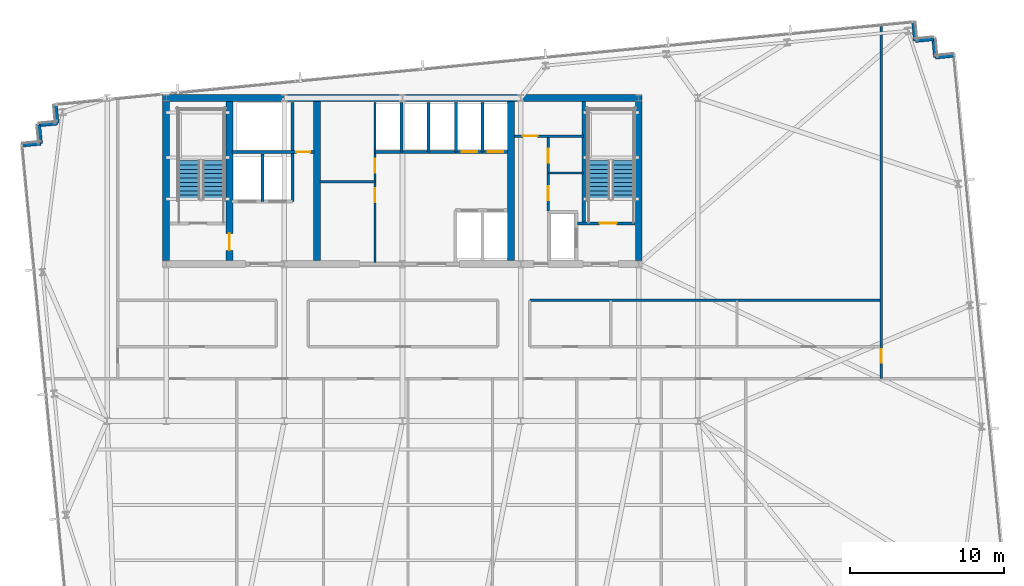
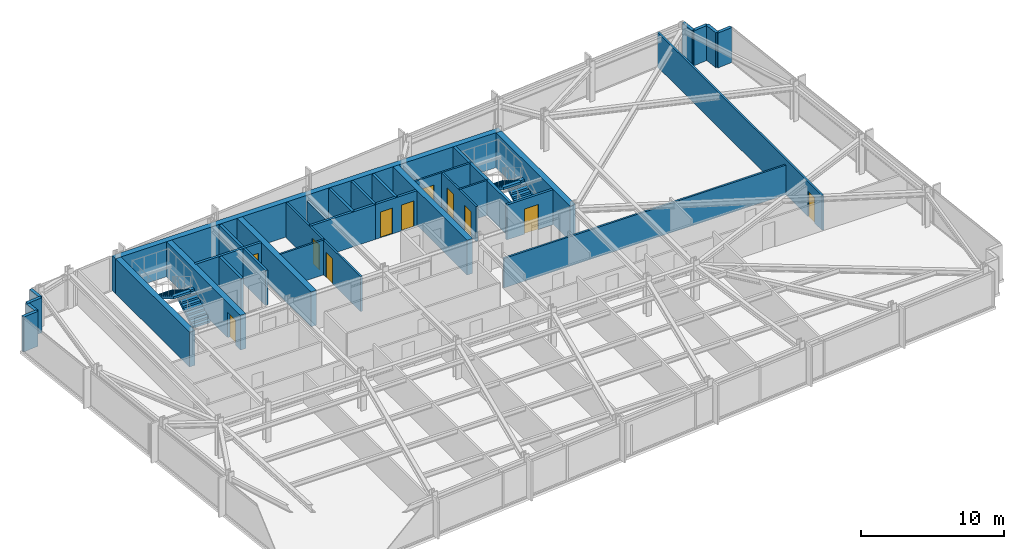
# One storey, part 26 of 32: 32 walls, 11 doors, 4 stair flights, 11 openings, 2 elements without a shape of their own.
"""IFC4 building model written with IfcOpenShell, lengths in metres."""

from ifc_helpers import new_model, si_unit, direction, frame, frame_2d, origin, place, context, subcontext, project, spatial, polyline, rectangle, outline, extrude, material, layer, layer_set, type_object, element, fill, aggregate, save


model = new_model("IFC4")

# Units and contexts
model_context = context("Model", 3, precision=1e-05, world=origin(), true_north=direction((0.0, 1.0)))
body_context = subcontext(model_context, "Body", "Model", "MODEL_VIEW")
ifc_project = project(units=[si_unit("LENGTHUNIT", "METRE"), si_unit("AREAUNIT", "SQUARE_METRE"), si_unit("VOLUMEUNIT", "CUBIC_METRE"), si_unit("PLANEANGLEUNIT", "RADIAN"), si_unit("MASSUNIT", "GRAM", prefix="KILO")], contexts=[model_context])

# Site, building, storey
site_placement = place(None, origin())
site = spatial("IfcSite", under=ifc_project, at=site_placement, CompositionType="ELEMENT")
building_placement = place(site_placement, origin())
building = spatial("IfcBuilding", under=site, at=building_placement, Name="Yelkora Congress Tower", CompositionType="ELEMENT")
storey_placement = place(building_placement, frame((0.0, 0.0, 133.89990234375)))
storey = spatial("IfcBuildingStorey", under=building, at=storey_placement, Name="L36", CompositionType="ELEMENT", Elevation=133.89990234375)

# Walls
ifc_material_1 = material(Name="Concrete C50/60", Category="concrete")
ifc_layer_1 = layer(ifc_material_1, 0.219970703125)
ifc_layer_set_1 = layer_set([ifc_layer_1], Name="Concrete C50/60")
wall_type_1 = type_object("IfcWallType", Name="WALL-CORE-INT-220", PredefinedType="SHEAR", material=ifc_layer_set_1)
wall_1_placement = place(storey_placement, frame((50.179931640625, 38.050048828125, 0.0), z_axis=(0.0, 0.0, 1.0), x_axis=(0.0, 1.0, 0.0)))
element("IfcWall", 1, at=wall_1_placement, inside=storey, type_object=wall_type_1, Name="L36 ST02 West Stair Shear Wall", PredefinedType="SHEAR", context=body_context, shape_type="SweptSolid", body=[
    extrude(rectangle(XDim=7.925048828125, YDim=0.219970703125, at=frame_2d((3.96240234375, 0.0))), origin(), (0.0, 0.0, 1.0), 2.97998046875),
])
ifc_material_2 = material(Name="Concrete C60/75", Category="concrete")
ifc_layer_2 = layer(ifc_material_2, 0.449951171875)
ifc_layer_set_2 = layer_set([ifc_layer_2], Name="Concrete C60/75")
wall_type_2 = type_object("IfcWallType", Name="WALL-CORE-INT-450", PredefinedType="SHEAR", material=ifc_layer_set_2)
wall_2_placement = place(storey_placement, frame((22.81494140625, 46.199951171875, 0.0), z_axis=(0.0, 0.0, 1.0), x_axis=(1.0, 0.0, 0.0)))
element("IfcWall", 2, at=wall_2_placement, inside=storey, type_object=wall_type_2, Name="L36 Rear Core North Shear Wall", PredefinedType="SHEAR", context=body_context, shape_type="SweptSolid", body=[
    extrude(rectangle(XDim=31.170166015625, YDim=0.449951171875, at=frame_2d((15.5849609375, 0.0))), origin(), (0.0, 0.0, 1.0), 2.97998046875),
])
wall_3_placement = place(storey_placement, frame((23.0400390625, 35.625, 0.0), z_axis=(0.0, 0.0, 1.0), x_axis=(0.0, 1.0, 0.0)))
element("IfcWall", 3, at=wall_3_placement, inside=storey, type_object=wall_type_2, Name="L36 Rear Core Cross Shear Wall W", PredefinedType="SHEAR", context=body_context, shape_type="SweptSolid", body=[
    extrude(rectangle(XDim=10.35009765625, YDim=0.449951171875, at=frame_2d((5.175048828125, 0.0))), origin(), (0.0, 0.0, 1.0), 2.97998046875),
])

# Wall, opening, door
wall_4_placement = place(storey_placement, frame((27.14990234375, 35.625, 0.0), z_axis=(0.0, 0.0, 1.0), x_axis=(0.0, 1.0, 0.0)))
wall_4 = element("IfcWall", 4, at=wall_4_placement, inside=storey, type_object=wall_type_2, Name="L36 Rear Core Cross Shear Wall C1", PredefinedType="SHEAR", context=body_context, shape_type="SweptSolid", body=[
    extrude(rectangle(XDim=10.35009765625, YDim=0.449951171875, at=frame_2d((5.175048828125, 0.0))), origin(), (0.0, 0.0, 1.0), 2.97998046875),
])
opening_1_placement = place(wall_4_placement, frame((0.675048828125, 0.0, 0.0)))
opening_1 = element("IfcOpeningElement", 5, at=opening_1_placement, cuts=wall_4, Name="Opening DR-110F9", PredefinedType="OPENING", context=body_context, shape_type="SweptSolid", body=[
    extrude(rectangle(XDim=1.10009765625, YDim=2.14990234375, at=frame_2d((0.550048828125, 1.074951171875))), frame((0.0, 0.23486328125, 0.0), z_axis=(0.0, -1.0, 0.0), x_axis=(1.0, 0.0, 0.0)), (0.0, 0.0, 1.0), 0.469970703125),
])
ifc_material_3 = material(Name="Galvanised steel fire door leaf", Category="steel")
door_type_1 = type_object("IfcDoorType", Name="DOOR-FD90-1100", OperationType="NOTDEFINED", PredefinedType="DOOR", material=ifc_material_3)
door_1_placement = place(opening_1_placement, origin())
door_1 = element("IfcDoor", 6, at=door_1_placement, inside=storey, type_object=door_type_1, Name="L36 Firefighting Stair Transfer Door", OperationType="SINGLE_SWING_LEFT", OverallHeight=2.14990234375, OverallWidth=1.10009765625, PredefinedType="DOOR", context=body_context, shape_type="SweptSolid", body=[
    extrude(rectangle(XDim=1.10009765625, YDim=2.14990234375, at=frame_2d((0.550048828125, 1.074951171875))), frame((0.0, 0.02490234375, 0.0), z_axis=(0.0, -1.0, 0.0), x_axis=(1.0, 0.0, 0.0)), (0.0, 0.0, 1.0), 0.050048828125),
])
fill(opening_1, door_1)

# Walls
for number, where, z_axis, x_axis, name in (
    (7, (32.85009765625, 35.625, 0.0), (0.0, 0.0, 1.0), (0.0, 1.0, 0.0), "L36 Rear Core Cross Shear Wall C2"),
    (8, (45.449951171875, 35.625, 0.0), (0.0, 0.0, 1.0), (0.0, 1.0, 0.0), "L36 Rear Core Cross Shear Wall C3"),
    (9, (53.760009765625, 35.625, 0.0), (0.0, 0.0, 1.0), (0.0, 1.0, 0.0), "L36 Rear Core Cross Shear Wall E"),
):
    element("IfcWall", number, at=place(storey_placement, frame(where, z_axis=z_axis, x_axis=x_axis)), inside=storey, type_object=wall_type_2, Name=name, PredefinedType="SHEAR", context=body_context, shape_type="SweptSolid", body=[
        extrude(rectangle(XDim=10.35009765625, YDim=0.449951171875, at=frame_2d((5.175048828125, 0.0))), origin(), (0.0, 0.0, 1.0), 2.97998046875),
    ])
ifc_material_4 = material(Name="Concrete C40/50", Category="concrete")
ifc_layer_3 = layer(ifc_material_4, 0.239990234375)
ifc_layer_set_3 = layer_set([ifc_layer_3], Name="Concrete C40/50")
wall_type_3 = type_object("IfcWallType", Name="WALL-EXT-LIMESTONE-240", PredefinedType="SOLIDWALL", material=ifc_layer_set_3)
for number, where, z_axis, x_axis, name in (
    (10, (13.69091796875, 43.126708984375, 0.0), (0.0, 0.0, 1.0), (0.995398960025, 0.095817067274, 0.0), "L36 Serrated Corner Limestone Pier 6"),
    (11, (14.885498046875, 43.24169921875, 0.0), (0.0, 0.0, 1.0), (-0.095817067274, 0.995398960025, 0.0), "L36 Serrated Corner Limestone Pier 7"),
):
    element("IfcWall", number, at=place(storey_placement, frame(where, z_axis=z_axis, x_axis=x_axis)), inside=storey, type_object=wall_type_3, Name=name, PredefinedType="SOLIDWALL", context=body_context, shape_type="SweptSolid", body=[
        extrude(rectangle(XDim=1.2001953125, YDim=0.239990234375, at=frame_2d((0.60009765625, 0.0))), origin(), (0.0, 0.0, 1.0), 2.97998046875),
    ])
for number, where, z_axis, x_axis, name in (
    (12, (14.7705078125, 44.436279296875, 0.0), (0.0, 0.0, 1.0), (0.995397091755, 0.095836473879, 0.0), "L36 Serrated Corner Limestone Pier 8"),
    (13, (15.96484375, 44.55126953125, 0.0), (0.0, 0.0, 1.0), (-0.095836473879, 0.995397091755, 0.0), "L36 Serrated Corner Limestone Pier 9"),
):
    element("IfcWall", number, at=place(storey_placement, frame(where, z_axis=z_axis, x_axis=x_axis)), inside=storey, type_object=wall_type_3, Name=name, PredefinedType="SOLIDWALL", context=body_context, shape_type="SweptSolid", body=[
        extrude(rectangle(XDim=1.199951171875, YDim=0.239990234375, at=frame_2d((0.60009765625, 0.0))), origin(), (0.0, 0.0, 1.0), 2.97998046875),
    ])
for number, where, z_axis, x_axis, name in (
    (14, (71.61181640625, 51.114990234375, 0.0), (0.0, 0.0, 1.0), (0.095817067274, -0.995398960025, 0.0), "L36 Serrated Corner Limestone Pier 11"),
    (15, (71.726806640625, 49.92041015625, 0.0), (0.0, 0.0, 1.0), (0.995398960025, 0.095817067274, 0.0), "L36 Serrated Corner Limestone Pier 12"),
    (16, (72.92138671875, 50.035400390625, 0.0), (0.0, 0.0, 1.0), (0.095817067274, -0.995398960025, 0.0), "L36 Serrated Corner Limestone Pier 13"),
    (17, (73.036376953125, 48.8408203125, 0.0), (0.0, 0.0, 1.0), (0.995379537303, 0.096018626938, 0.0), "L36 Serrated Corner Limestone Pier 14"),
):
    element("IfcWall", number, at=place(storey_placement, frame(where, z_axis=z_axis, x_axis=x_axis)), inside=storey, type_object=wall_type_3, Name=name, PredefinedType="SOLIDWALL", context=body_context, shape_type="SweptSolid", body=[
        extrude(rectangle(XDim=1.2001953125, YDim=0.239990234375, at=frame_2d((0.60009765625, 0.0))), origin(), (0.0, 0.0, 1.0), 2.97998046875),
    ])

# Wall, opening, door
ifc_material_5 = material(Name="Acoustic metal-stud gypsum partition", Category="gypsum")
ifc_layer_4 = layer(ifc_material_5, 0.14990234375)
ifc_layer_set_4 = layer_set([ifc_layer_4], Name="Acoustic metal-stud gypsum partition")
wall_type_4 = type_object("IfcWallType", Name="WALL-INT-150-NR", PredefinedType="PARTITIONING", material=ifc_layer_set_4)
wall_5_placement = place(storey_placement, frame((45.679931640625, 43.719970703125, 0.0), z_axis=(0.0, 0.0, 1.0), x_axis=(1.0, 0.0, 0.0)))
wall_5 = element("IfcWall", 18, at=wall_5_placement, inside=storey, type_object=wall_type_4, Name="L36 Partition Wall 24", PredefinedType="PARTITIONING", context=body_context, shape_type="SweptSolid", body=[
    extrude(rectangle(XDim=4.5, YDim=0.14990234375, at=frame_2d((2.25, 0.0))), origin(), (0.0, 0.0, 1.0), 2.97998046875),
])
opening_2_placement = place(wall_5_placement, frame((0.550048828125, 0.0, 0.0)))
opening_2 = element("IfcOpeningElement", 19, at=opening_2_placement, cuts=wall_5, Name="Opening DR-095N", PredefinedType="OPENING", context=body_context, shape_type="SweptSolid", body=[
    extrude(rectangle(XDim=0.949951171875, YDim=2.14990234375, at=frame_2d((0.47509765625, 1.074951171875))), frame((0.0, 0.0849609375, 0.0), z_axis=(0.0, -1.0, 0.0), x_axis=(1.0, 0.0, 0.0)), (0.0, 0.0, 1.0), 0.169921875),
])
ifc_material_6 = material(Name="Acoustic laminated timber office door", Category="wood")
door_type_2 = type_object("IfcDoorType", Name="DOOR-INT-950", OperationType="NOTDEFINED", PredefinedType="DOOR", material=ifc_material_6)
door_2_placement = place(opening_2_placement, origin())
door_2 = element("IfcDoor", 20, at=door_2_placement, inside=storey, type_object=door_type_2, Name="L36 Accessible WC Door", OperationType="SINGLE_SWING_RIGHT", OverallHeight=2.14990234375, OverallWidth=0.949951171875, PredefinedType="DOOR", context=body_context, shape_type="SweptSolid", body=[
    extrude(rectangle(XDim=0.949951171875, YDim=2.14990234375, at=frame_2d((0.47509765625, 1.074951171875))), frame((0.0, 0.02490234375, 0.0), z_axis=(0.0, -1.0, 0.0), x_axis=(1.0, 0.0, 0.0)), (0.0, 0.0, 1.0), 0.050048828125),
])
fill(opening_2, door_2)

# Wall
wall_6_placement = place(storey_placement, frame((47.8798828125, 41.320068359375, 0.0), z_axis=(0.0, 0.0, 1.0), x_axis=(1.0, 0.0, 0.0)))
element("IfcWall", 21, at=wall_6_placement, inside=storey, type_object=wall_type_4, Name="L36 Partition Wall 25", PredefinedType="PARTITIONING", context=body_context, shape_type="SweptSolid", body=[
    extrude(rectangle(XDim=2.300048828125, YDim=0.14990234375, at=frame_2d((1.14990234375, 0.0))), origin(), (0.0, 0.0, 1.0), 2.97998046875),
])

# Wall, openings, doors
wall_7_placement = place(storey_placement, frame((47.8798828125, 38.85009765625, 0.0), z_axis=(0.0, 0.0, 1.0), x_axis=(0.0, 1.0, 0.0)))
wall_7 = element("IfcWall", 22, at=wall_7_placement, inside=storey, type_object=wall_type_4, Name="L36 Partition Wall 26", PredefinedType="PARTITIONING", context=body_context, shape_type="SweptSolid", body=[
    extrude(rectangle(XDim=4.869873046875, YDim=0.14990234375, at=frame_2d((2.43505859375, 0.0))), origin(), (0.0, 0.0, 1.0), 2.97998046875),
])
opening_3_placement = place(wall_7_placement, frame((0.699951171875, 0.0, 0.0)))
opening_3 = element("IfcOpeningElement", 23, at=opening_3_placement, cuts=wall_7, Name="Opening DR-090N", PredefinedType="OPENING", context=body_context, shape_type="SweptSolid", body=[
    extrude(rectangle(XDim=0.89990234375, YDim=2.14990234375, at=frame_2d((0.449951171875, 1.074951171875))), frame((0.0, 0.0849609375, 0.0), z_axis=(0.0, -1.0, 0.0), x_axis=(1.0, 0.0, 0.0)), (0.0, 0.0, 1.0), 0.169921875),
])
opening_4_placement = place(wall_7_placement, frame((3.14990234375, 0.0, 0.0)))
opening_4 = element("IfcOpeningElement", 24, at=opening_4_placement, cuts=wall_7, Name="Opening DR-090N", PredefinedType="OPENING", context=body_context, shape_type="SweptSolid", body=[
    extrude(rectangle(XDim=0.89990234375, YDim=2.14990234375, at=frame_2d((0.449951171875, 1.074951171875))), frame((0.0, 0.0849609375, 0.0), z_axis=(0.0, -1.0, 0.0), x_axis=(1.0, 0.0, 0.0)), (0.0, 0.0, 1.0), 0.169921875),
])
ifc_material_7 = material(Name="Moisture-resistant laminate door leaf", Category="wood")
door_type_3 = type_object("IfcDoorType", Name="DOOR-INT-900", OperationType="NOTDEFINED", PredefinedType="DOOR", material=ifc_material_7)
door_3_placement = place(opening_3_placement, origin())
door_3 = element("IfcDoor", 25, at=door_3_placement, inside=storey, type_object=door_type_3, Name="L36 Male WC Door", OperationType="SINGLE_SWING_LEFT", OverallHeight=2.14990234375, OverallWidth=0.89990234375, PredefinedType="DOOR", context=body_context, shape_type="SweptSolid", body=[
    extrude(rectangle(XDim=0.89990234375, YDim=2.14990234375, at=frame_2d((0.449951171875, 1.074951171875))), frame((0.0, 0.02490234375, 0.0), z_axis=(0.0, -1.0, 0.0), x_axis=(1.0, 0.0, 0.0)), (0.0, 0.0, 1.0), 0.050048828125),
])
fill(opening_3, door_3)
door_4_placement = place(opening_4_placement, origin())
door_4 = element("IfcDoor", 26, at=door_4_placement, inside=storey, type_object=door_type_3, Name="L36 Female WC Door", OperationType="SINGLE_SWING_RIGHT", OverallHeight=2.14990234375, OverallWidth=0.89990234375, PredefinedType="DOOR", context=body_context, shape_type="SweptSolid", body=[
    extrude(rectangle(XDim=0.89990234375, YDim=2.14990234375, at=frame_2d((0.449951171875, 1.074951171875))), frame((0.0, 0.02490234375, 0.0), z_axis=(0.0, -1.0, 0.0), x_axis=(1.0, 0.0, 0.0)), (0.0, 0.0, 1.0), 0.050048828125),
])
fill(opening_4, door_4)

# Wall, opening, door
wall_8_placement = place(storey_placement, frame((69.513916015625, 27.949951171875, 0.0), z_axis=(0.0, 0.0, 1.0), x_axis=(0.0, 1.0, 0.0)))
wall_8 = element("IfcWall", 27, at=wall_8_placement, inside=storey, type_object=wall_type_4, Name="L36 Partition Wall 36", PredefinedType="PARTITIONING", context=body_context, shape_type="SweptSolid", body=[
    extrude(rectangle(XDim=23.023193359375, YDim=0.14990234375, at=frame_2d((11.51171875, 0.0))), origin(), (0.0, 0.0, 1.0), 2.97998046875),
])
opening_5_placement = place(wall_8_placement, frame((1.030029296875, 0.0, 0.0)))
opening_5 = element("IfcOpeningElement", 28, at=opening_5_placement, cuts=wall_8, Name="Opening DR-090N", PredefinedType="OPENING", context=body_context, shape_type="SweptSolid", body=[
    extrude(rectangle(XDim=0.89990234375, YDim=2.14990234375, at=frame_2d((0.449951171875, 1.074951171875))), frame((0.0, 0.0849609375, 0.0), z_axis=(0.0, -1.0, 0.0), x_axis=(1.0, 0.0, 0.0)), (0.0, 0.0, 1.0), 0.169921875),
])
door_5_placement = place(opening_5_placement, origin())
door_5 = element("IfcDoor", 29, at=door_5_placement, inside=storey, type_object=door_type_3, Name="L36 E Wing Door", OperationType="SINGLE_SWING_RIGHT", OverallHeight=2.14990234375, OverallWidth=0.89990234375, PredefinedType="DOOR", context=body_context, shape_type="SweptSolid", body=[
    extrude(rectangle(XDim=0.89990234375, YDim=2.14990234375, at=frame_2d((0.449951171875, 1.074951171875))), frame((0.0, 0.02490234375, 0.0), z_axis=(0.0, -1.0, 0.0), x_axis=(1.0, 0.0, 0.0)), (0.0, 0.0, 1.0), 0.050048828125),
])
fill(opening_5, door_5)

# Walls
wall_9_placement = place(storey_placement, frame((46.679931640625, 33.050048828125, 0.0), z_axis=(0.0, 0.0, 1.0), x_axis=(1.0, 0.0, 0.0)))
element("IfcWall", 30, at=wall_9_placement, inside=storey, type_object=wall_type_4, Name="L36 Partition Wall 43", PredefinedType="PARTITIONING", context=body_context, shape_type="SweptSolid", body=[
    extrude(rectangle(XDim=22.833984375, YDim=0.14990234375, at=frame_2d((11.4169921875, 0.0))), origin(), (0.0, 0.0, 1.0), 2.525146484375),
])
ifc_material_8 = material(Name="Twin-stud fire-rated gypsum partition", Category="gypsum")
ifc_layer_5 = layer(ifc_material_8, 0.14990234375)
ifc_layer_set_5 = layer_set([ifc_layer_5], Name="Twin-stud fire-rated gypsum partition")
wall_type_5 = type_object("IfcWallType", Name="WALL-INT-150-R60", PredefinedType="PARTITIONING", material=ifc_layer_set_5)
wall_10_placement = place(storey_placement, frame((33.050048828125, 40.75, 0.0), z_axis=(0.0, 0.0, 1.0), x_axis=(1.0, 0.0, 0.0)))
element("IfcWall", 31, at=wall_10_placement, inside=storey, type_object=wall_type_5, Name="L36 Partition Wall 11", PredefinedType="PARTITIONING", context=body_context, shape_type="SweptSolid", body=[
    extrude(rectangle(XDim=3.570068359375, YDim=0.14990234375, at=frame_2d((1.78515625, 0.0))), origin(), (0.0, 0.0, 1.0), 2.97998046875),
])

# Wall, openings, doors
wall_11_placement = place(storey_placement, frame((36.6201171875, 35.5, 0.0), z_axis=(0.0, 0.0, 1.0), x_axis=(0.0, 1.0, 0.0)))
wall_11 = element("IfcWall", 32, at=wall_11_placement, inside=storey, type_object=wall_type_5, Name="L36 Partition Wall 12", PredefinedType="PARTITIONING", context=body_context, shape_type="SweptSolid", body=[
    extrude(rectangle(XDim=10.419921875, YDim=0.14990234375, at=frame_2d((5.2099609375, 0.0))), origin(), (0.0, 0.0, 1.0), 2.97998046875),
])
opening_6_placement = place(wall_11_placement, frame((3.919921875, 0.0, 0.0)))
opening_6 = element("IfcOpeningElement", 33, at=opening_6_placement, cuts=wall_11, Name="Opening DR-090F6", PredefinedType="OPENING", context=body_context, shape_type="SweptSolid", body=[
    extrude(rectangle(XDim=0.89990234375, YDim=2.14990234375, at=frame_2d((0.449951171875, 1.074951171875))), frame((0.0, 0.0849609375, 0.0), z_axis=(0.0, -1.0, 0.0), x_axis=(1.0, 0.0, 0.0)), (0.0, 0.0, 1.0), 0.169921875),
])
opening_7_placement = place(wall_11_placement, frame((5.85009765625, 0.0, 0.0)))
opening_7 = element("IfcOpeningElement", 34, at=opening_7_placement, cuts=wall_11, Name="Opening DR-090F6", PredefinedType="OPENING", context=body_context, shape_type="SweptSolid", body=[
    extrude(rectangle(XDim=0.89990234375, YDim=2.14990234375, at=frame_2d((0.449951171875, 1.074951171875))), frame((0.0, 0.0849609375, 0.0), z_axis=(0.0, -1.0, 0.0), x_axis=(1.0, 0.0, 0.0)), (0.0, 0.0, 1.0), 0.169921875),
])
ifc_material_9 = material(Name="Painted steel riser fire door leaf", Category="steel")
door_type_4 = type_object("IfcDoorType", Name="DOOR-FD60-900", OperationType="NOTDEFINED", PredefinedType="DOOR", material=ifc_material_9)
door_6_placement = place(opening_6_placement, origin())
door_6 = element("IfcDoor", 35, at=door_6_placement, inside=storey, type_object=door_type_4, Name="L36 Telecom Store Door", OperationType="SINGLE_SWING_LEFT", OverallHeight=2.14990234375, OverallWidth=0.89990234375, PredefinedType="DOOR", context=body_context, shape_type="SweptSolid", body=[
    extrude(rectangle(XDim=0.89990234375, YDim=2.14990234375, at=frame_2d((0.449951171875, 1.074951171875))), frame((0.0, 0.02490234375, 0.0), z_axis=(0.0, -1.0, 0.0), x_axis=(1.0, 0.0, 0.0)), (0.0, 0.0, 1.0), 0.050048828125),
])
fill(opening_6, door_6)
door_7_placement = place(opening_7_placement, origin())
door_7 = element("IfcDoor", 36, at=door_7_placement, inside=storey, type_object=door_type_4, Name="L36 Archive Store Door", OperationType="SINGLE_SWING_RIGHT", OverallHeight=2.14990234375, OverallWidth=0.89990234375, PredefinedType="DOOR", context=body_context, shape_type="SweptSolid", body=[
    extrude(rectangle(XDim=0.89990234375, YDim=2.14990234375, at=frame_2d((0.449951171875, 1.074951171875))), frame((0.0, 0.02490234375, 0.0), z_axis=(0.0, -1.0, 0.0), x_axis=(1.0, 0.0, 0.0)), (0.0, 0.0, 1.0), 0.050048828125),
])
fill(opening_7, door_7)

# Walls
ifc_material_10 = material(Name="Autoclaved aerated concrete blockwork", Category="masonry")
ifc_layer_6 = layer(ifc_material_10, 0.199951171875)
ifc_layer_set_6 = layer_set([ifc_layer_6], Name="Autoclaved aerated concrete blockwork")
wall_type_6 = type_object("IfcWallType", Name="WALL-INT-200-R120", PredefinedType="PARTITIONING", material=ifc_layer_set_6)
wall_12_placement = place(storey_placement, frame((29.300048828125, 39.47998046875, 0.0), z_axis=(0.0, 0.0, 1.0), x_axis=(0.0, 1.0, 0.0)))
element("IfcWall", 37, at=wall_12_placement, inside=storey, type_object=wall_type_6, Name="L36 Partition Wall 4", PredefinedType="PARTITIONING", context=body_context, shape_type="SweptSolid", body=[
    extrude(rectangle(XDim=3.070068359375, YDim=0.199951171875, at=frame_2d((1.53515625, 0.0))), origin(), (0.0, 0.0, 1.0), 2.97998046875),
])
wall_13_placement = place(storey_placement, frame((31.260009765625, 39.47998046875, 0.0), z_axis=(0.0, 0.0, 1.0), x_axis=(0.0, 1.0, 0.0)))
element("IfcWall", 38, at=wall_13_placement, inside=storey, type_object=wall_type_6, Name="L36 Partition Wall 5", PredefinedType="PARTITIONING", context=body_context, shape_type="SweptSolid", body=[
    extrude(rectangle(XDim=6.43994140625, YDim=0.199951171875, at=frame_2d((3.219970703125, 0.0))), origin(), (0.0, 0.0, 1.0), 2.97998046875),
])

# Wall, opening, door
wall_14_placement = place(storey_placement, frame((27.320068359375, 42.679931640625, 0.0), z_axis=(0.0, 0.0, 1.0), x_axis=(1.0, 0.0, 0.0)))
wall_14 = element("IfcWall", 39, at=wall_14_placement, inside=storey, type_object=wall_type_6, Name="L36 Smoke Riser South Wall", PredefinedType="PARTITIONING", context=body_context, shape_type="SweptSolid", body=[
    extrude(rectangle(XDim=5.329833984375, YDim=0.199951171875, at=frame_2d((2.6650390625, 0.0))), origin(), (0.0, 0.0, 1.0), 2.97998046875),
])
opening_8_placement = place(wall_14_placement, frame((4.179931640625, 0.0, 0.0)))
opening_8 = element("IfcOpeningElement", 40, at=opening_8_placement, cuts=wall_14, Name="Opening DR-090F6", PredefinedType="OPENING", context=body_context, shape_type="SweptSolid", body=[
    extrude(rectangle(XDim=0.89990234375, YDim=2.14990234375, at=frame_2d((0.449951171875, 1.074951171875))), frame((0.0, 0.10986328125, 0.0), z_axis=(0.0, -1.0, 0.0), x_axis=(1.0, 0.0, 0.0)), (0.0, 0.0, 1.0), 0.219970703125),
])
door_8_placement = place(opening_8_placement, origin())
door_8 = element("IfcDoor", 41, at=door_8_placement, inside=storey, type_object=door_type_4, Name="L36 Riser Access Door", OperationType="SINGLE_SWING_LEFT", OverallHeight=2.14990234375, OverallWidth=0.89990234375, PredefinedType="DOOR", context=body_context, shape_type="SweptSolid", body=[
    extrude(rectangle(XDim=0.89990234375, YDim=2.14990234375, at=frame_2d((0.449951171875, 1.074951171875))), frame((0.0, 0.02490234375, 0.0), z_axis=(0.0, -1.0, 0.0), x_axis=(1.0, 0.0, 0.0)), (0.0, 0.0, 1.0), 0.050048828125),
])
fill(opening_8, door_8)

# Walls
wall_15_placement = place(storey_placement, frame((36.60009765625, 42.699951171875, 0.0), z_axis=(0.0, 0.0, 1.0), x_axis=(1.0, 0.0, 0.0)))
element("IfcWall", 42, at=wall_15_placement, inside=storey, type_object=wall_type_6, Name="L36 Partition Wall 8", PredefinedType="PARTITIONING", context=body_context, shape_type="SweptSolid", body=[
    extrude(rectangle(XDim=5.25, YDim=0.199951171875, at=frame_2d((2.625, 0.0))), origin(), (0.0, 0.0, 1.0), 2.97998046875),
])
wall_16_placement = place(storey_placement, frame((38.35009765625, 42.699951171875, 0.0), z_axis=(0.0, 0.0, 1.0), x_axis=(0.0, 1.0, 0.0)))
element("IfcWall", 43, at=wall_16_placement, inside=storey, type_object=wall_type_6, Name="L36 Partition Wall 9", PredefinedType="PARTITIONING", context=body_context, shape_type="SweptSolid", body=[
    extrude(rectangle(XDim=3.219970703125, YDim=0.199951171875, at=frame_2d((1.60986328125, 0.0))), origin(), (0.0, 0.0, 1.0), 2.525146484375),
])
wall_17_placement = place(storey_placement, frame((40.10009765625, 42.699951171875, 0.0), z_axis=(0.0, 0.0, 1.0), x_axis=(0.0, 1.0, 0.0)))
element("IfcWall", 44, at=wall_17_placement, inside=storey, type_object=wall_type_6, Name="L36 Partition Wall 10", PredefinedType="PARTITIONING", context=body_context, shape_type="SweptSolid", body=[
    extrude(rectangle(XDim=3.219970703125, YDim=0.199951171875, at=frame_2d((1.60986328125, 0.0))), origin(), (0.0, 0.0, 1.0), 2.97998046875),
])

# Wall, openings, doors
wall_18_placement = place(storey_placement, frame((41.85009765625, 42.699951171875, 0.0), z_axis=(0.0, 0.0, 1.0), x_axis=(1.0, 0.0, 0.0)))
wall_18 = element("IfcWall", 45, at=wall_18_placement, inside=storey, type_object=wall_type_6, Name="L36 Partition Wall 14", PredefinedType="PARTITIONING", context=body_context, shape_type="SweptSolid", body=[
    extrude(rectangle(XDim=3.369873046875, YDim=0.199951171875, at=frame_2d((1.68505859375, 0.0))), origin(), (0.0, 0.0, 1.0), 2.97998046875),
])
opening_9_placement = place(wall_18_placement, frame((0.39990234375, 0.0, 0.0)))
opening_9 = element("IfcOpeningElement", 46, at=opening_9_placement, cuts=wall_18, Name="Opening LD-PS10", PredefinedType="OPENING", context=body_context, shape_type="SweptSolid", body=[
    extrude(rectangle(XDim=1.0, YDim=2.199951171875, at=frame_2d((0.5, 1.10009765625))), frame((0.0, 0.10986328125, 0.0), z_axis=(0.0, -1.0, 0.0), x_axis=(1.0, 0.0, 0.0)), (0.0, 0.0, 1.0), 0.219970703125),
])
opening_10_placement = place(wall_18_placement, frame((2.10009765625, 0.0, 0.0)))
opening_10 = element("IfcOpeningElement", 47, at=opening_10_placement, cuts=wall_18, Name="Opening LD-PS10", PredefinedType="OPENING", context=body_context, shape_type="SweptSolid", body=[
    extrude(rectangle(XDim=1.0, YDim=2.199951171875, at=frame_2d((0.5, 1.10009765625))), frame((0.0, 0.10986328125, 0.0), z_axis=(0.0, -1.0, 0.0), x_axis=(1.0, 0.0, 0.0)), (0.0, 0.0, 1.0), 0.219970703125),
])
ifc_material_11 = material(Name="Champagne stainless steel landing door", Category="steel")
door_type_5 = type_object("IfcDoorType", Name="DOOR-LIFT-PAS-1000", OperationType="DOUBLE_DOOR_SLIDING", PredefinedType="DOOR", material=ifc_material_11)
door_9_placement = place(opening_9_placement, origin())
door_9 = element("IfcDoor", 48, at=door_9_placement, inside=storey, type_object=door_type_5, Name="Lift Landing Door LF-P7 L36", OperationType="DOUBLE_DOOR_SLIDING", OverallHeight=2.199951171875, OverallWidth=1.0, PredefinedType="DOOR", context=body_context, shape_type="SweptSolid", body=[
    extrude(rectangle(XDim=1.0, YDim=2.199951171875, at=frame_2d((0.5, 1.10009765625))), frame((0.0, 0.02490234375, 0.0), z_axis=(0.0, -1.0, 0.0), x_axis=(1.0, 0.0, 0.0)), (0.0, 0.0, 1.0), 0.050048828125),
])
fill(opening_9, door_9)
door_10_placement = place(opening_10_placement, origin())
door_10 = element("IfcDoor", 49, at=door_10_placement, inside=storey, type_object=door_type_5, Name="Lift Landing Door LF-P8 L36", OperationType="DOUBLE_DOOR_SLIDING", OverallHeight=2.199951171875, OverallWidth=1.0, PredefinedType="DOOR", context=body_context, shape_type="SweptSolid", body=[
    extrude(rectangle(XDim=1.0, YDim=2.199951171875, at=frame_2d((0.5, 1.10009765625))), frame((0.0, 0.02490234375, 0.0), z_axis=(0.0, -1.0, 0.0), x_axis=(1.0, 0.0, 0.0)), (0.0, 0.0, 1.0), 0.050048828125),
])
fill(opening_10, door_10)

# Walls
for number, where, z_axis, x_axis, name in (
    (50, (43.60009765625, 42.699951171875, 0.0), (0.0, 0.0, 1.0), (0.0, 1.0, 0.0), "L36 Partition Wall 16"),
    (51, (41.8798828125, 42.699951171875, 0.0), (0.0, 0.0, 1.0), (0.0, 1.0, 0.0), "L36 Partition Wall 18"),
):
    element("IfcWall", number, at=place(storey_placement, frame(where, z_axis=z_axis, x_axis=x_axis)), inside=storey, type_object=wall_type_6, Name=name, PredefinedType="PARTITIONING", context=body_context, shape_type="SweptSolid", body=[
        extrude(rectangle(XDim=3.219970703125, YDim=0.199951171875, at=frame_2d((1.60986328125, 0.0))), origin(), (0.0, 0.0, 1.0), 2.97998046875),
    ])

# Wall, opening, door
wall_19_placement = place(storey_placement, frame((49.780029296875, 38.050048828125, 0.0), z_axis=(0.0, 0.0, 1.0), x_axis=(1.0, 0.0, 0.0)))
wall_19 = element("IfcWall", 52, at=wall_19_placement, inside=storey, type_object=wall_type_6, Name="L36 Stair ST-02 Enclosure Wall", PredefinedType="PARTITIONING", context=body_context, shape_type="SweptSolid", body=[
    extrude(rectangle(XDim=3.719970703125, YDim=0.199951171875, at=frame_2d((1.85986328125, 0.0))), origin(), (0.0, 0.0, 1.0), 2.97998046875),
])
opening_11_placement = place(wall_19_placement, frame((1.436279296875, 0.0, 0.0)))
opening_11 = element("IfcOpeningElement", 53, at=opening_11_placement, cuts=wall_19, Name="Opening DR-110F9", PredefinedType="OPENING", context=body_context, shape_type="SweptSolid", body=[
    extrude(rectangle(XDim=1.10009765625, YDim=2.14990234375, at=frame_2d((0.550048828125, 1.074951171875))), frame((0.0, 0.10986328125, 0.0), z_axis=(0.0, -1.0, 0.0), x_axis=(1.0, 0.0, 0.0)), (0.0, 0.0, 1.0), 0.219970703125),
])
door_11_placement = place(opening_11_placement, origin())
door_11 = element("IfcDoor", 54, at=door_11_placement, inside=storey, type_object=door_type_1, Name="L36 Stair ST-02 Entry Door", OperationType="SINGLE_SWING_LEFT", OverallHeight=2.14990234375, OverallWidth=1.10009765625, PredefinedType="DOOR", context=body_context, shape_type="SweptSolid", body=[
    extrude(rectangle(XDim=1.10009765625, YDim=2.14990234375, at=frame_2d((0.550048828125, 1.074951171875))), frame((0.0, 0.02490234375, 0.0), z_axis=(0.0, -1.0, 0.0), x_axis=(1.0, 0.0, 0.0)), (0.0, 0.0, 1.0), 0.050048828125),
])
fill(opening_11, door_11)

# Stair, stair flights
stair_type = type_object("IfcStairType", Name="STAIR-HT-1420-R20-170", PredefinedType="HALF_TURN_STAIR", material=ifc_material_4)
stair_1_placement = place(storey_placement, origin())
stair_1 = element("IfcStair", 55, at=stair_1_placement, inside=storey, type_object=stair_type, Name="West Core Protected Exit Stair ST-01 (L36)", PredefinedType="HALF_TURN_STAIR")
stair_flight_type = type_object("IfcStairFlightType", Name="FLIGHT-1420-N10-R170-G280", PredefinedType="STRAIGHT", material=ifc_material_4)
stair_flight_1_placement = place(storey_placement, frame((26.110107421875, 39.60009765625, 0.0), z_axis=(0.0, 0.0, 1.0), x_axis=(0.0, 1.0, 0.0)))
stair_flight_1 = element("IfcStairFlight", 56, at=stair_flight_1_placement, type_object=stair_flight_type, Name="ST-01 L36 Flight 1", NumberOfRisers=10, NumberOfTreads=9, PredefinedType="STRAIGHT", RiserHeight=0.17, TreadLength=0.28, context=body_context, shape_type="SweptSolid", body=[
    extrude(outline(polyline([(0.0, 0.0), (0.0, 0.169921875), (0.280029296875, 0.169921875), (0.280029296875, 0.340087890625), (0.56005859375, 0.340087890625), (0.56005859375, 0.510009765625), (0.840087890625, 0.510009765625), (0.840087890625, 0.679931640625), (1.1201171875, 0.679931640625), (1.1201171875, 0.85009765625), (1.39990234375, 0.85009765625), (1.39990234375, 1.02001953125), (1.679931640625, 1.02001953125), (1.679931640625, 1.18994140625), (1.9599609375, 1.18994140625), (1.9599609375, 1.360107421875), (2.239990234375, 1.360107421875), (2.239990234375, 1.530029296875), (2.52001953125, 1.530029296875), (2.52001953125, 1.699951171875), (2.52001953125, 1.343017578125), (0.30810546875, 0.0), (0.0, 0.0)])), frame((0.0, 0.7099609375, 0.0), z_axis=(0.0, -1.0, 0.0), x_axis=(1.0, 0.0, 0.0)), (0.0, 0.0, 1.0), 1.419921875),
])
stair_flight_2_placement = place(storey_placement, frame((24.530029296875, 42.1201171875, 1.7001953125), z_axis=(0.0, 0.0, 1.0), x_axis=(0.0, -1.0, 0.0)))
stair_flight_2 = element("IfcStairFlight", 57, at=stair_flight_2_placement, type_object=stair_flight_type, Name="ST-01 L36 Flight 2", NumberOfRisers=10, NumberOfTreads=9, PredefinedType="STRAIGHT", RiserHeight=0.17, TreadLength=0.28, context=body_context, shape_type="SweptSolid", body=[
    extrude(outline(polyline([(0.0, 0.0), (0.0, 0.169921875), (0.280029296875, 0.169921875), (0.280029296875, 0.340087890625), (0.56005859375, 0.340087890625), (0.56005859375, 0.510009765625), (0.840087890625, 0.510009765625), (0.840087890625, 0.679931640625), (1.1201171875, 0.679931640625), (1.1201171875, 0.85009765625), (1.39990234375, 0.85009765625), (1.39990234375, 1.02001953125), (1.679931640625, 1.02001953125), (1.679931640625, 1.18994140625), (1.9599609375, 1.18994140625), (1.9599609375, 1.360107421875), (2.239990234375, 1.360107421875), (2.239990234375, 1.530029296875), (2.52001953125, 1.530029296875), (2.52001953125, 1.699951171875), (2.52001953125, 1.343017578125), (0.30810546875, 0.0), (0.0, 0.0)])), frame((0.0, 0.7099609375, 0.0), z_axis=(0.0, -1.0, 0.0), x_axis=(1.0, 0.0, 0.0)), (0.0, 0.0, 1.0), 1.419921875),
])
aggregate(stair_1, [stair_flight_1, stair_flight_2])

stair_2_placement = place(storey_placement, origin())
stair_2 = element("IfcStair", 58, at=stair_2_placement, inside=storey, type_object=stair_type, Name="East Core Protected Exit Stair ST-02 (L36)", PredefinedType="HALF_TURN_STAIR")
stair_flight_3_placement = place(storey_placement, frame((52.75, 39.60009765625, 0.0), z_axis=(0.0, 0.0, 1.0), x_axis=(0.0, 1.0, 0.0)))
stair_flight_3 = element("IfcStairFlight", 59, at=stair_flight_3_placement, type_object=stair_flight_type, Name="ST-02 L36 Flight 1", NumberOfRisers=10, NumberOfTreads=9, PredefinedType="STRAIGHT", RiserHeight=0.17, TreadLength=0.28, context=body_context, shape_type="SweptSolid", body=[
    extrude(outline(polyline([(0.0, 0.0), (0.0, 0.169921875), (0.280029296875, 0.169921875), (0.280029296875, 0.340087890625), (0.56005859375, 0.340087890625), (0.56005859375, 0.510009765625), (0.840087890625, 0.510009765625), (0.840087890625, 0.679931640625), (1.1201171875, 0.679931640625), (1.1201171875, 0.85009765625), (1.39990234375, 0.85009765625), (1.39990234375, 1.02001953125), (1.679931640625, 1.02001953125), (1.679931640625, 1.18994140625), (1.9599609375, 1.18994140625), (1.9599609375, 1.360107421875), (2.239990234375, 1.360107421875), (2.239990234375, 1.530029296875), (2.52001953125, 1.530029296875), (2.52001953125, 1.699951171875), (2.52001953125, 1.343017578125), (0.30810546875, 0.0), (0.0, 0.0)])), frame((0.0, 0.7099609375, 0.0), z_axis=(0.0, -1.0, 0.0), x_axis=(1.0, 0.0, 0.0)), (0.0, 0.0, 1.0), 1.419921875),
])
stair_flight_4_placement = place(storey_placement, frame((51.169921875, 42.1201171875, 1.7001953125), z_axis=(0.0, 0.0, 1.0), x_axis=(0.0, -1.0, 0.0)))
stair_flight_4 = element("IfcStairFlight", 60, at=stair_flight_4_placement, type_object=stair_flight_type, Name="ST-02 L36 Flight 2", NumberOfRisers=10, NumberOfTreads=9, PredefinedType="STRAIGHT", RiserHeight=0.17, TreadLength=0.28, context=body_context, shape_type="SweptSolid", body=[
    extrude(outline(polyline([(0.0, 0.0), (0.0, 0.169921875), (0.280029296875, 0.169921875), (0.280029296875, 0.340087890625), (0.56005859375, 0.340087890625), (0.56005859375, 0.510009765625), (0.840087890625, 0.510009765625), (0.840087890625, 0.679931640625), (1.1201171875, 0.679931640625), (1.1201171875, 0.85009765625), (1.39990234375, 0.85009765625), (1.39990234375, 1.02001953125), (1.679931640625, 1.02001953125), (1.679931640625, 1.18994140625), (1.9599609375, 1.18994140625), (1.9599609375, 1.360107421875), (2.239990234375, 1.360107421875), (2.239990234375, 1.530029296875), (2.52001953125, 1.530029296875), (2.52001953125, 1.699951171875), (2.52001953125, 1.343017578125), (0.30810546875, 0.0), (0.0, 0.0)])), frame((0.0, 0.7099609375, 0.0), z_axis=(0.0, -1.0, 0.0), x_axis=(1.0, 0.0, 0.0)), (0.0, 0.0, 1.0), 1.419921875),
])
aggregate(stair_2, [stair_flight_3, stair_flight_4])

save(model, "model.ifc")
